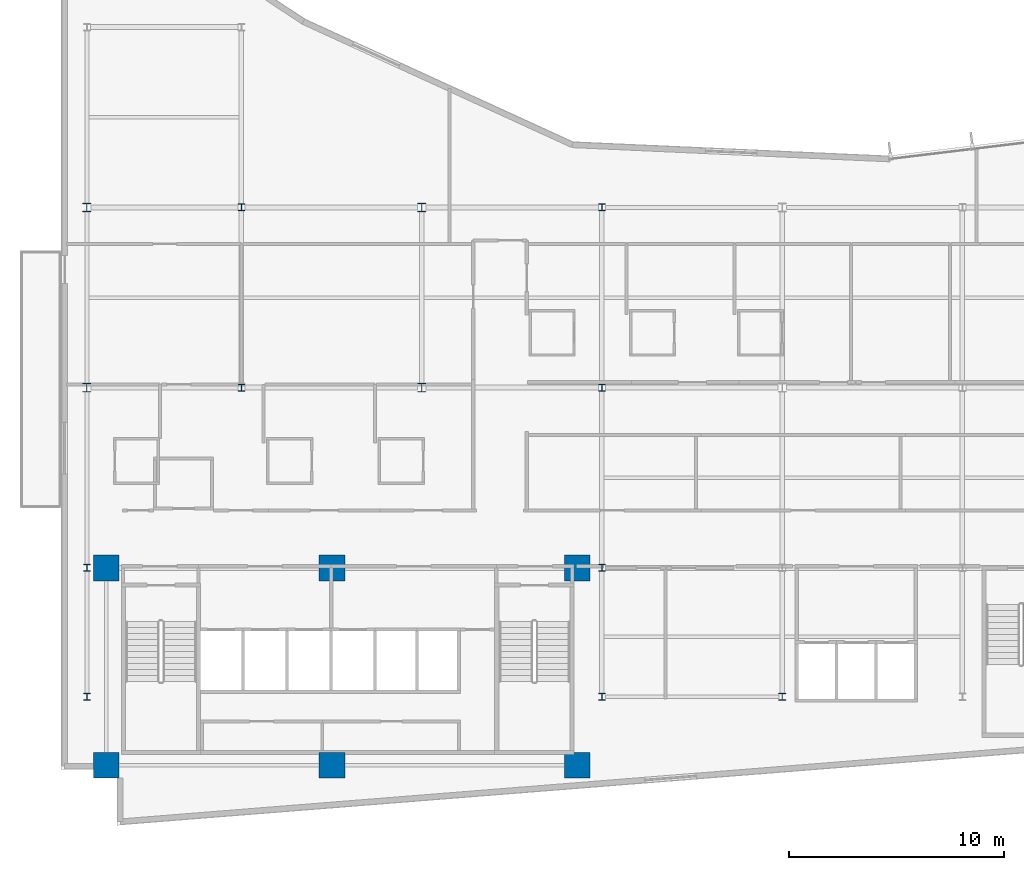
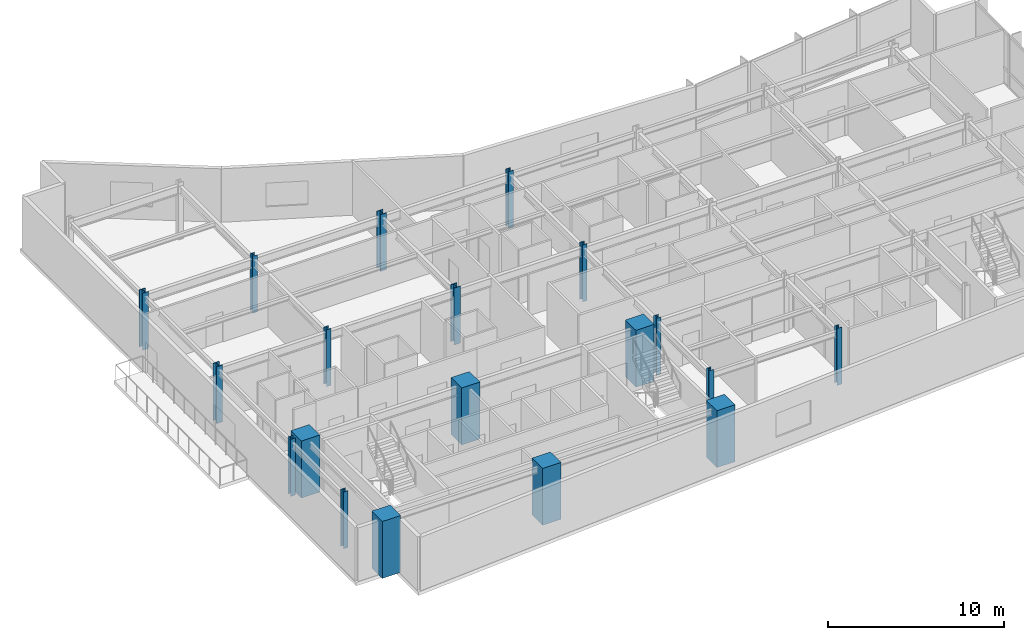
# One storey, part 1 of 18: 19 columns.
"""IFC4 building model written with IfcOpenShell, lengths in metres."""

from ifc_helpers import new_model, si_unit, direction, frame, origin, origin_2d, place, context, subcontext, project, spatial, rectangle, i_section, extrude, material, material_profile, profile_set, type_object, element, save


model = new_model("IFC4")

# Units and contexts
model_context = context("Model", 3, precision=1e-05, world=origin(), true_north=direction((0.0, 1.0)))
body_context = subcontext(model_context, "Body", "Model", "MODEL_VIEW")
ifc_project = project(units=[si_unit("LENGTHUNIT", "METRE"), si_unit("AREAUNIT", "SQUARE_METRE"), si_unit("VOLUMEUNIT", "CUBIC_METRE"), si_unit("PLANEANGLEUNIT", "RADIAN"), si_unit("MASSUNIT", "GRAM", prefix="KILO")], contexts=[model_context])

# Site, building, storey
site_placement = place(None, origin())
site = spatial("IfcSite", under=ifc_project, at=site_placement, CompositionType="ELEMENT")
building_placement = place(site_placement, origin())
building = spatial("IfcBuilding", under=site, at=building_placement, Name="Varnakote Quay Hospital", CompositionType="ELEMENT")
storey_placement = place(building_placement, frame((0.0, 0.0, 123.10009765625)))
storey = spatial("IfcBuildingStorey", under=building, at=storey_placement, Name="L30", CompositionType="ELEMENT", Elevation=123.10009765625)

# Columns
ifc_material_1 = material(Name="Concrete N80 (f'c 80 MPa)", Category="concrete")
ifc_material_profile_1 = material_profile(ifc_material_1, rectangle(XDim=1.199951171875, YDim=1.199951171875, at=origin_2d()), Name="RC-COL-1200x1200")
ifc_profile_set_1 = profile_set([ifc_material_profile_1], Name="Concrete N80 (f'c 80 MPa)")
column_type_1 = type_object("IfcColumnType", Name="COL-RC-1200", PredefinedType="COLUMN", material=ifc_profile_set_1)
for number, where, z_axis, x_axis, name in (
    (1, (2.10009765625, 2.800048828125, 0.0), (0.0, 0.0, 1.0), (1.0, 0.0, 0.0), "L30 Structural Column C-2-3"),
    (2, (12.6201171875, 2.800048828125, 0.0), (0.0, 0.0, 1.0), (1.0, 0.0, 0.0), "L30 Structural Column C-13-3"),
    (3, (24.050048828125, 2.800048828125, 0.0), (0.0, 0.0, 1.0), (1.0, 0.0, 0.0), "L30 Structural Column C-24-3"),
    (4, (2.10009765625, 12.0, 0.0), (0.0, 0.0, 1.0), (1.0, 0.0, 0.0), "L30 Structural Column C-2-12"),
    (5, (12.6201171875, 12.0, 0.0), (0.0, 0.0, 1.0), (1.0, 0.0, 0.0), "L30 Structural Column C-13-12"),
    (6, (24.050048828125, 12.0, 0.0), (0.0, 0.0, 1.0), (1.0, 0.0, 0.0), "L30 Structural Column C-24-12"),
):
    element("IfcColumn", number, at=place(storey_placement, frame(where, z_axis=z_axis, x_axis=x_axis)), inside=storey, type_object=column_type_1, Name=name, PredefinedType="COLUMN", context=body_context, shape_type="SweptSolid", body=[
        extrude(rectangle(XDim=1.199951171875, YDim=1.199951171875, at=origin_2d()), origin(), (0.0, 0.0, 1.0), 3.949951171875),
    ])
ifc_material_2 = material(Name="Structural steel AS/NZS 3679.1 Grade 350 L0 (fy 340 MPa)", Category="steel")
ifc_material_profile_2 = material_profile(ifc_material_2, i_section(OverallWidth=0.30908203125, OverallDepth=0.321044921875, WebThickness=0.013916015625, FlangeThickness=0.021728515625, FilletRadius=0.0166015625, at=origin_2d()), Name="310UC137")
ifc_profile_set_2 = profile_set([ifc_material_profile_2], Name="Structural steel AS/NZS 3679.1 Grade 350 L0 (fy 340 MPa)")
column_type_2 = type_object("IfcColumnType", Name="COL-STL-310UC137", PredefinedType="COLUMN", material=ifc_profile_set_2)
for number, where, z_axis, x_axis, name in (
    (7, (1.199951171875, 6.0, 0.0), (0.0, 0.0, 1.0), (1.0, 0.0, 0.0), "L30 Structural Column C-1-6"),
    (8, (25.199951171875, 6.0, 0.0), (0.0, 0.0, 1.0), (1.0, 0.0, 0.0), "L30 Structural Column C-25-6"),
    (9, (33.60009765625, 6.0, 0.0), (0.0, 0.0, 1.0), (1.0, 0.0, 0.0), "L30 Structural Column C-34-6"),
    (10, (1.199951171875, 12.0, 0.0), (0.0, 0.0, 1.0), (1.0, 0.0, 0.0), "L30 Structural Column C-1-12"),
    (11, (25.199951171875, 12.0, 0.0), (0.0, 0.0, 1.0), (1.0, 0.0, 0.0), "L30 Structural Column C-25-12"),
    (12, (8.39990234375, 20.39990234375, 0.0), (0.0, 0.0, 1.0), (1.0, 0.0, 0.0), "L30 Structural Column C-8-20"),
    (13, (25.199951171875, 20.39990234375, 0.0), (0.0, 0.0, 1.0), (1.0, 0.0, 0.0), "L30 Structural Column C-25-20"),
    (14, (8.39990234375, 28.800048828125, 0.0), (0.0, 0.0, 1.0), (1.0, 0.0, 0.0), "L30 Structural Column C-8-29"),
    (15, (25.199951171875, 28.800048828125, 0.0), (0.0, 0.0, 1.0), (1.0, 0.0, 0.0), "L30 Structural Column C-25-29"),
):
    element("IfcColumn", number, at=place(storey_placement, frame(where, z_axis=z_axis, x_axis=x_axis)), inside=storey, type_object=column_type_2, Name=name, PredefinedType="COLUMN", context=body_context, shape_type="SweptSolid", body=[
        extrude(i_section(OverallWidth=0.30908203125, OverallDepth=0.321044921875, WebThickness=0.013916015625, FlangeThickness=0.021728515625, FilletRadius=0.0166015625, at=origin_2d()), origin(), (0.0, 0.0, 1.0), 3.949951171875),
    ])
ifc_material_3 = material(Name="Structural steel AS/NZS 3678 Grade 350 (fy 340 MPa)", Category="steel")
ifc_material_profile_3 = material_profile(ifc_material_3, i_section(OverallWidth=0.39990234375, OverallDepth=0.419921875, WebThickness=0.02490234375, FlangeThickness=0.0400390625, at=origin_2d()), Name="400WC328")
ifc_profile_set_3 = profile_set([ifc_material_profile_3], Name="Structural steel AS/NZS 3678 Grade 350 (fy 340 MPa)")
column_type_3 = type_object("IfcColumnType", Name="COL-STL-400WC328", PredefinedType="COLUMN", material=ifc_profile_set_3)
for number, where, z_axis, x_axis, name in (
    (16, (1.199951171875, 20.39990234375, 0.0), (0.0, 0.0, 1.0), (1.0, 0.0, 0.0), "L30 Structural Column C-1-20"),
    (17, (16.800048828125, 20.39990234375, 0.0), (0.0, 0.0, 1.0), (1.0, 0.0, 0.0), "L30 Structural Column C-17-20"),
    (18, (1.199951171875, 28.800048828125, 0.0), (0.0, 0.0, 1.0), (1.0, 0.0, 0.0), "L30 Structural Column C-1-29"),
    (19, (16.800048828125, 28.800048828125, 0.0), (0.0, 0.0, 1.0), (1.0, 0.0, 0.0), "L30 Structural Column C-17-29"),
):
    element("IfcColumn", number, at=place(storey_placement, frame(where, z_axis=z_axis, x_axis=x_axis)), inside=storey, type_object=column_type_3, Name=name, PredefinedType="COLUMN", context=body_context, shape_type="SweptSolid", body=[
        extrude(i_section(OverallWidth=0.39990234375, OverallDepth=0.419921875, WebThickness=0.02490234375, FlangeThickness=0.0400390625, at=origin_2d()), origin(), (0.0, 0.0, 1.0), 3.949951171875),
    ])

save(model, "model.ifc")
